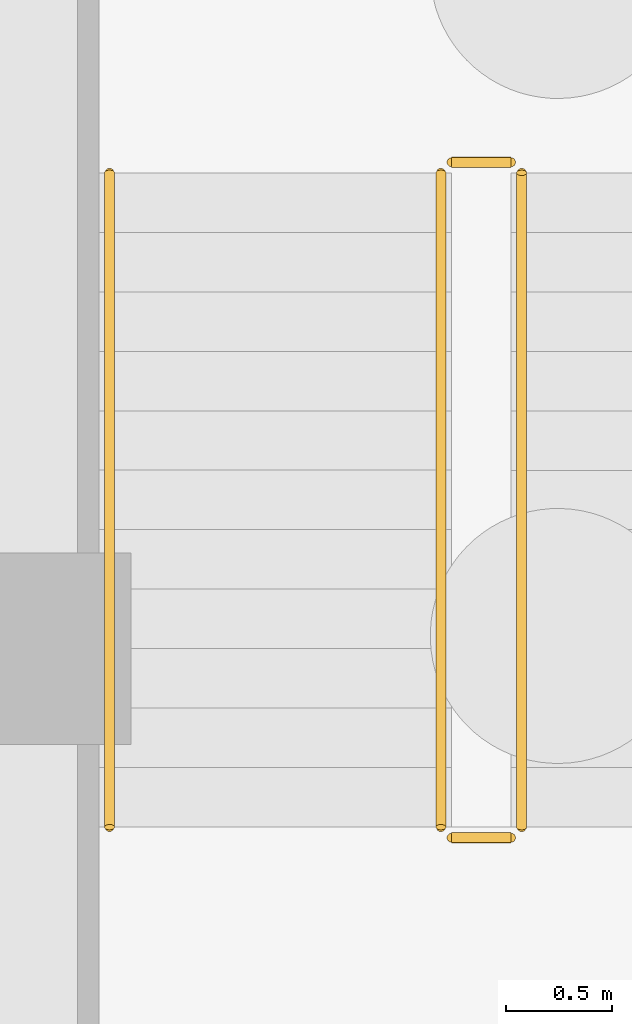
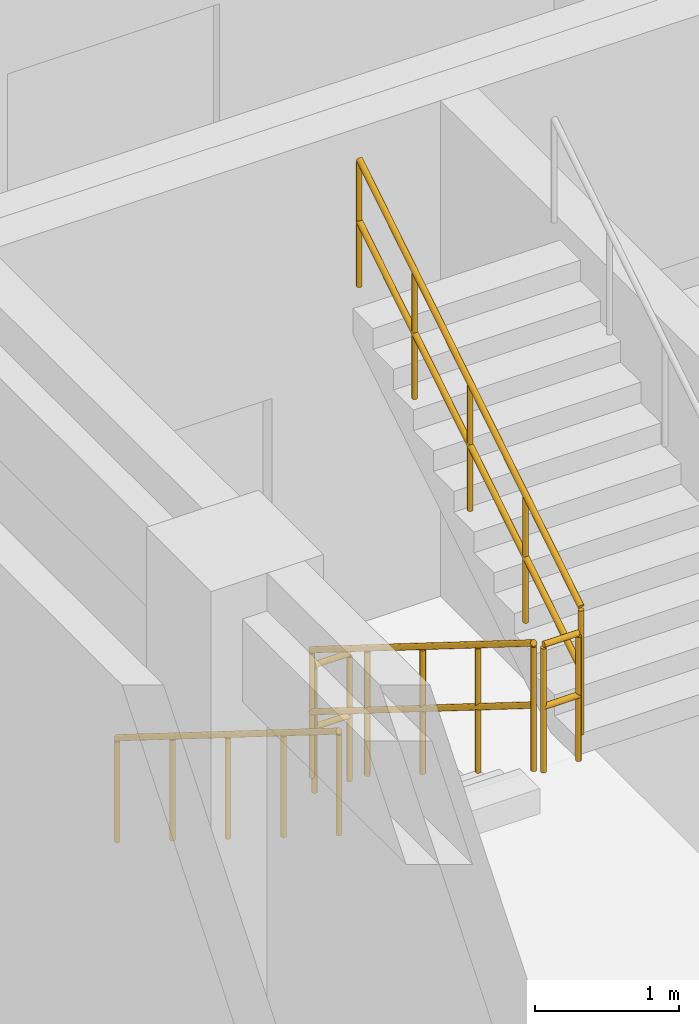
# One storey, part 29 of 32: 5 railings.
"""IFC4 building model written with IfcOpenShell, lengths in metres."""

from ifc_helpers import new_model, si_unit, direction, frame, origin, origin_2d, place, context, subcontext, project, spatial, circle, extrude, material, type_object, element, save


model = new_model("IFC4")

# Units and contexts
model_context = context("Model", 3, precision=1e-05, world=origin(), true_north=direction((0.0, 1.0)))
body_context = subcontext(model_context, "Body", "Model", "MODEL_VIEW")
ifc_project = project(units=[si_unit("LENGTHUNIT", "METRE"), si_unit("AREAUNIT", "SQUARE_METRE"), si_unit("VOLUMEUNIT", "CUBIC_METRE"), si_unit("PLANEANGLEUNIT", "RADIAN"), si_unit("MASSUNIT", "GRAM", prefix="KILO")], contexts=[model_context])

# Site, building, storey
site_placement = place(None, origin())
site = spatial("IfcSite", under=ifc_project, at=site_placement, CompositionType="ELEMENT")
building_placement = place(site_placement, origin())
building = spatial("IfcBuilding", under=site, at=building_placement, Name="Muzn Square Opera House", CompositionType="ELEMENT")
storey_placement = place(building_placement, frame((0.0, 0.0, -4.199951171875)))
storey = spatial("IfcBuildingStorey", under=building, at=storey_placement, Name="B1", CompositionType="ELEMENT", Elevation=-4.199951171875)

# Railings
ifc_material = material(Name="Brushed stainless steel", Category="metal")
railing_type_1 = type_object("IfcRailingType", Name="Stair Guard Railing 1120mm", PredefinedType="GUARDRAIL", material=ifc_material)
railing_1_placement = place(storey_placement, frame((127.409912109375, 28.840087890625, 0.175048828125)))
element("IfcRailing", 1, at=railing_1_placement, inside=storey, type_object=railing_type_1, Name="B1 ST-4 stair guard 1", PredefinedType="GUARDRAIL", context=body_context, shape_type="SweptSolid", body=[
    extrude(circle(Radius=0.02392578125, at=origin_2d()), frame((0.0, 0.0, 1.076171875), z_axis=(0.0, -0.848028513186, 0.529950602248), x_axis=(1.0, 0.0, 0.0)), (0.0, 0.0, 1.0), 3.632080078125),
    extrude(circle(Radius=0.02392578125, at=origin_2d()), frame((0.0, 0.0, 0.550048828125), z_axis=(0.0, -0.848028513186, 0.529950602248), x_axis=(1.0, 0.0, 0.0)), (0.0, 0.0, 1.0), 3.632080078125),
    extrude(circle(Radius=0.02099609375, at=origin_2d()), origin(), (0.0, 0.0, 1.0), 1.052001953125),
    extrude(circle(Radius=0.02099609375, at=origin_2d()), frame((0.0, -0.77001953125, 0.481201171875)), (0.0, 0.0, 1.0), 1.052001953125),
    extrude(circle(Radius=0.02099609375, at=origin_2d()), frame((0.0, -1.5400390625, 0.96240234375)), (0.0, 0.0, 1.0), 1.052001953125),
    extrude(circle(Radius=0.02099609375, at=origin_2d()), frame((0.0, -2.31005859375, 1.443603515625)), (0.0, 0.0, 1.0), 1.052001953125),
    extrude(circle(Radius=0.02099609375, at=origin_2d()), frame((0.0, -3.080078125, 1.9248046875)), (0.0, 0.0, 1.0), 1.052001953125),
])
railing_2_placement = place(storey_placement, frame((127.4599609375, 25.7099609375, 2.099853515625)))
element("IfcRailing", 2, at=railing_2_placement, inside=storey, type_object=railing_type_1, Name="B1 ST-4 stair guard 2", PredefinedType="GUARDRAIL", context=body_context, shape_type="SweptSolid", body=[
    extrude(circle(Radius=0.02392578125, at=origin_2d()), frame((0.0, 0.0, 1.076171875), z_axis=(1.0, 0.0, 0.0), x_axis=(0.0, 1.0, 0.0)), (0.0, 0.0, 1.0), 0.280029296875),
    extrude(circle(Radius=0.02392578125, at=origin_2d()), frame((0.0, 0.0, 0.550048828125), z_axis=(1.0, 0.0, 0.0), x_axis=(0.0, 1.0, 0.0)), (0.0, 0.0, 1.0), 0.280029296875),
    extrude(circle(Radius=0.02099609375, at=origin_2d()), origin(), (0.0, 0.0, 1.0), 1.052001953125),
    extrude(circle(Radius=0.02099609375, at=origin_2d()), frame((0.280029296875, 0.0, 0.0)), (0.0, 0.0, 1.0), 1.052001953125),
])
railing_3_placement = place(storey_placement, frame((127.7900390625, 25.760009765625, 2.27490234375)))
element("IfcRailing", 3, at=railing_3_placement, inside=storey, type_object=railing_type_1, Name="B1 ST-4 stair guard 3", PredefinedType="GUARDRAIL", context=body_context, shape_type="SweptSolid", body=[
    extrude(circle(Radius=0.02392578125, at=origin_2d()), frame((0.0, 0.0, 1.076171875), z_axis=(0.0, 0.847998304005, 0.529998940003), x_axis=(-1.0, 0.0, 0.0)), (0.0, 0.0, 1.0), 3.632080078125),
    extrude(circle(Radius=0.02392578125, at=origin_2d()), frame((0.0, 0.0, 0.550048828125), z_axis=(0.0, 0.847998304005, 0.529998940003), x_axis=(-1.0, 0.0, 0.0)), (0.0, 0.0, 1.0), 3.632080078125),
    extrude(circle(Radius=0.02099609375, at=origin_2d()), origin(), (0.0, 0.0, 1.0), 1.052001953125),
    extrude(circle(Radius=0.02099609375, at=origin_2d()), frame((0.0, 0.77001953125, 0.481201171875)), (0.0, 0.0, 1.0), 1.052001953125),
    extrude(circle(Radius=0.02099609375, at=origin_2d()), frame((0.0, 1.5400390625, 0.96240234375)), (0.0, 0.0, 1.0), 1.052001953125),
    extrude(circle(Radius=0.02099609375, at=origin_2d()), frame((0.0, 2.31005859375, 1.44384765625)), (0.0, 0.0, 1.0), 1.052001953125),
    extrude(circle(Radius=0.02099609375, at=origin_2d()), frame((0.0, 3.080078125, 1.925048828125)), (0.0, 0.0, 1.0), 1.052001953125),
])
railing_4_placement = place(storey_placement, frame((127.4599609375, 28.889892578125, 0.0)))
element("IfcRailing", 4, at=railing_4_placement, inside=storey, type_object=railing_type_1, Name="B1 ST-4 stair guard 4", PredefinedType="GUARDRAIL", context=body_context, shape_type="SweptSolid", body=[
    extrude(circle(Radius=0.02392578125, at=origin_2d()), frame((0.0, 0.0, 1.076171875), z_axis=(1.0, 0.0, 0.0), x_axis=(0.0, 1.0, 0.0)), (0.0, 0.0, 1.0), 0.280029296875),
    extrude(circle(Radius=0.02392578125, at=origin_2d()), frame((0.0, 0.0, 0.550048828125), z_axis=(1.0, 0.0, 0.0), x_axis=(0.0, 1.0, 0.0)), (0.0, 0.0, 1.0), 0.280029296875),
    extrude(circle(Radius=0.02099609375, at=origin_2d()), origin(), (0.0, 0.0, 1.0), 1.052001953125),
    extrude(circle(Radius=0.02099609375, at=origin_2d()), frame((0.280029296875, 0.0, 0.0)), (0.0, 0.0, 1.0), 1.052001953125),
])
railing_type_2 = type_object("IfcRailingType", Name="Stair Pitch Handrail 900mm", PredefinedType="HANDRAIL", material=ifc_material)
railing_5_placement = place(storey_placement, frame((125.85009765625, 28.840087890625, 0.175048828125)))
element("IfcRailing", 5, at=railing_5_placement, inside=storey, type_object=railing_type_2, Name="B1 ST-4 stair handrail 1", PredefinedType="HANDRAIL", context=body_context, shape_type="SweptSolid", body=[
    extrude(circle(Radius=0.02392578125, at=origin_2d()), frame((0.0, 0.0, 0.8759765625), z_axis=(0.0, -0.848028513186, 0.529950602248), x_axis=(1.0, 0.0, 0.0)), (0.0, 0.0, 1.0), 3.632080078125),
    extrude(circle(Radius=0.02099609375, at=origin_2d()), origin(), (0.0, 0.0, 1.0), 0.851806640625),
    extrude(circle(Radius=0.02099609375, at=origin_2d()), frame((0.0, -0.77001953125, 0.481201171875)), (0.0, 0.0, 1.0), 0.851806640625),
    extrude(circle(Radius=0.02099609375, at=origin_2d()), frame((0.0, -1.5400390625, 0.96240234375)), (0.0, 0.0, 1.0), 0.851806640625),
    extrude(circle(Radius=0.02099609375, at=origin_2d()), frame((0.0, -2.31005859375, 1.443603515625)), (0.0, 0.0, 1.0), 0.851806640625),
    extrude(circle(Radius=0.02099609375, at=origin_2d()), frame((0.0, -3.080078125, 1.9248046875)), (0.0, 0.0, 1.0), 0.851806640625),
])

save(model, "model.ifc")
